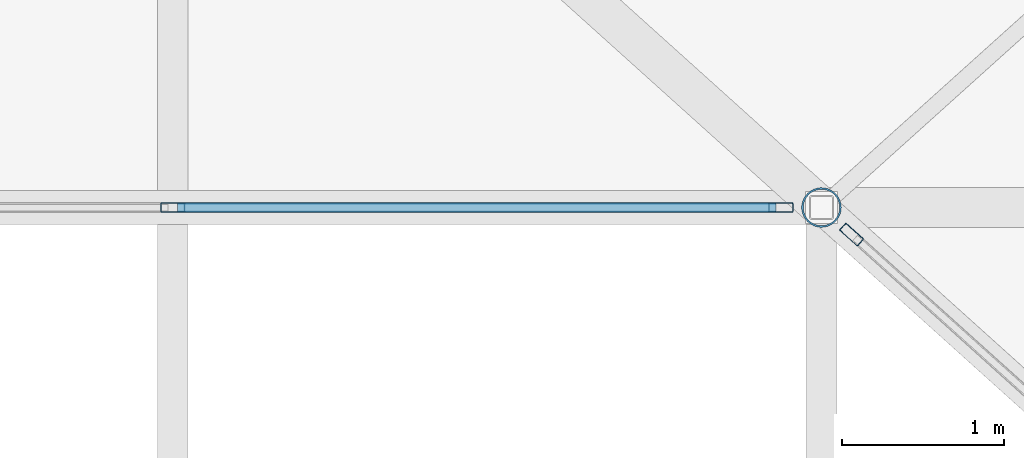
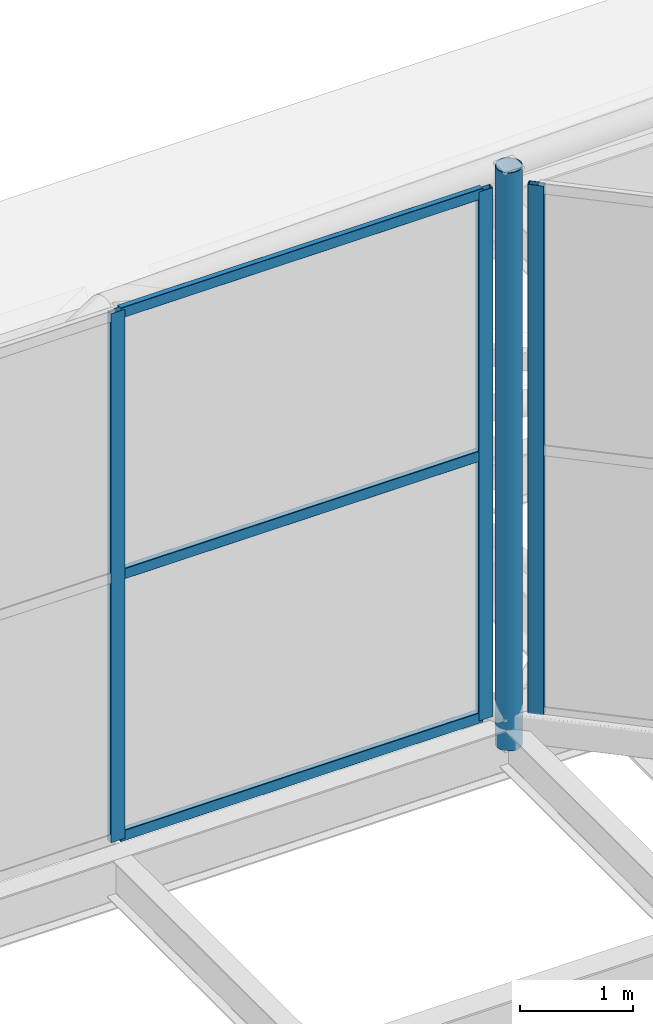
# One storey, part 89 of 239: 7 members, 2 elements without a shape of their own.
"""IFC4 building model written with IfcOpenShell, lengths in metres."""

from ifc_helpers import new_model, si_unit, direction, frame, origin, origin_2d, place, context, subcontext, project, spatial, hollow_rectangle, hollow_circle, extrude, material, layer, layer_set, material_profile, profile_set, type_object, element, aggregate, save


model = new_model("IFC4")

# Units and contexts
model_context = context("Model", 3, precision=1e-05, world=origin(), true_north=direction((0.0, 1.0)))
body_context = subcontext(model_context, "Body", "Model", "MODEL_VIEW")
ifc_project = project(units=[si_unit("LENGTHUNIT", "METRE"), si_unit("AREAUNIT", "SQUARE_METRE"), si_unit("VOLUMEUNIT", "CUBIC_METRE"), si_unit("PLANEANGLEUNIT", "RADIAN"), si_unit("MASSUNIT", "GRAM", prefix="KILO")], contexts=[model_context])

# Site, building, storey
site_placement = place(None, origin())
site = spatial("IfcSite", under=ifc_project, at=site_placement, CompositionType="ELEMENT")
building_placement = place(site_placement, origin())
building = spatial("IfcBuilding", under=site, at=building_placement, Name="Dunvalen Ferry Terminal", CompositionType="ELEMENT")
storey_placement = place(building_placement, frame((0.0, 0.0, 9.840087890625)))
storey = spatial("IfcBuildingStorey", under=building, at=storey_placement, Name="L02", CompositionType="ELEMENT", Elevation=9.840087890625)

# Curtain wall, member
ifc_material_1 = material(Name="Anodised marine aluminium and solar-control glazing", Category="aluminium")
ifc_layer_1 = layer(ifc_material_1, 0.179931640625, Name="Anodised marine aluminium and solar-control glazing")
ifc_layer_set_1 = layer_set([ifc_layer_1], Name="Anodised marine aluminium and solar-control glazing")
curtain_wall_type_1 = type_object("IfcCurtainWallType", Name="ENV-CW-SYS-06", PredefinedType="NOTDEFINED", material=ifc_layer_set_1)
curtain_wall_1_placement = place(storey_placement, origin())
curtain_wall_1 = element("IfcCurtainWall", 1, at=curtain_wall_1_placement, inside=storey, type_object=curtain_wall_type_1, Name="L02 Curtain Wall CW-HEX-21-SK-4", PredefinedType="NOTDEFINED")
ifc_material_2 = material(Name="Anodised marine aluminium EN AW-6063 T6", Category="aluminium")
ifc_material_profile_1 = material_profile(ifc_material_2, hollow_rectangle(XDim=0.06005859375, YDim=0.14990234375, WallThickness=0.00341796875, InnerFilletRadius=0.00341796875, OuterFilletRadius=0.007080078125, at=origin_2d()), Name="Anodised marine aluminium EN AW-6063 T6")
ifc_profile_set_1 = profile_set([ifc_material_profile_1], Name="Anodised marine aluminium EN AW-6063 T6")
member_type_1 = type_object("IfcMemberType", Name="ENV-CW-MUL-3", PredefinedType="MULLION", material=ifc_profile_set_1)
member_1_placement = place(storey_placement, frame((46.185791015625, 79.03271484375, 1.139892578125), z_axis=(0.0, 0.0, 1.0), x_axis=(-0.668953550894, -0.74330420875, 0.0)))
member_1 = element("IfcMember", 2, at=member_1_placement, type_object=member_type_1, Name="CW-06 mullion 2", PredefinedType="MULLION", context=body_context, shape_type="SweptSolid", body=[
    extrude(hollow_rectangle(XDim=0.06005859375, YDim=0.14990234375, WallThickness=0.00341796875, InnerFilletRadius=0.00341796875, OuterFilletRadius=0.007080078125, at=origin_2d()), origin(), (0.0, 0.0, 1.0), 5.699951171875),
])
aggregate(curtain_wall_1, [member_1])

# Curtain wall, members
ifc_layer_2 = layer(ifc_material_1, 0.179931640625, Name="Anodised marine aluminium and solar-control glazing")
ifc_layer_set_2 = layer_set([ifc_layer_2], Name="Anodised marine aluminium and solar-control glazing")
curtain_wall_type_2 = type_object("IfcCurtainWallType", Name="ENV-CW-SYS-05", PredefinedType="NOTDEFINED", material=ifc_layer_set_2)
curtain_wall_2_placement = place(storey_placement, origin())
curtain_wall_2 = element("IfcCurtainWall", 3, at=curtain_wall_2_placement, inside=storey, type_object=curtain_wall_type_2, Name="L02 Curtain Wall CW-HEX-21-SK-5", PredefinedType="NOTDEFINED")
member_2_placement = place(storey_placement, frame((45.75, 79.199951171875, 1.139892578125), z_axis=(0.0, 0.0, 1.0), x_axis=(0.0, -1.0, 0.0)))
member_2 = element("IfcMember", 4, at=member_2_placement, type_object=member_type_1, Name="CW-05 mullion 1", PredefinedType="MULLION", context=body_context, shape_type="SweptSolid", body=[
    extrude(hollow_rectangle(XDim=0.06005859375, YDim=0.14990234375, WallThickness=0.00341796875, InnerFilletRadius=0.00341796875, OuterFilletRadius=0.007080078125, at=origin_2d()), origin(), (0.0, 0.0, 1.0), 5.699951171875),
])
member_3_placement = place(storey_placement, frame((42.0, 79.199951171875, 1.139892578125), z_axis=(0.0, 0.0, 1.0), x_axis=(0.0, -1.0, 0.0)))
member_3 = element("IfcMember", 5, at=member_3_placement, type_object=member_type_1, Name="CW-05 mullion 2", PredefinedType="MULLION", context=body_context, shape_type="SweptSolid", body=[
    extrude(hollow_rectangle(XDim=0.06005859375, YDim=0.14990234375, WallThickness=0.00341796875, InnerFilletRadius=0.00341796875, OuterFilletRadius=0.007080078125, at=origin_2d()), origin(), (0.0, 0.0, 1.0), 5.699951171875),
])
ifc_material_profile_2 = material_profile(ifc_material_2, hollow_rectangle(XDim=0.06005859375, YDim=0.114990234375, WallThickness=0.0029296875, InnerFilletRadius=0.0029296875, OuterFilletRadius=0.006103515625, at=origin_2d()), Name="Anodised marine aluminium EN AW-6063 T6")
ifc_profile_set_2 = profile_set([ifc_material_profile_2], Name="Anodised marine aluminium EN AW-6063 T6")
member_type_2 = type_object("IfcMemberType", Name="ENV-CW-TRN-3", PredefinedType="USERDEFINED", material=ifc_profile_set_2)
member_4_placement = place(storey_placement, frame((45.719970703125, 79.199951171875, 1.169921875), z_axis=(-1.0, 0.0, 0.0), x_axis=(0.0, -1.0, 0.0)))
member_4 = element("IfcMember", 6, at=member_4_placement, type_object=member_type_2, Name="CW-05 transom 1.1", ObjectType="TRANSOM", PredefinedType="USERDEFINED", context=body_context, shape_type="SweptSolid", body=[
    extrude(hollow_rectangle(XDim=0.06005859375, YDim=0.114990234375, WallThickness=0.0029296875, InnerFilletRadius=0.0029296875, OuterFilletRadius=0.006103515625, at=origin_2d()), origin(), (0.0, 0.0, 1.0), 3.68994140625),
])
member_5_placement = place(storey_placement, frame((45.719970703125, 79.199951171875, 3.989990234375), z_axis=(-1.0, 0.0, 0.0), x_axis=(0.0, -1.0, 0.0)))
member_5 = element("IfcMember", 7, at=member_5_placement, type_object=member_type_2, Name="CW-05 transom 1.2", ObjectType="TRANSOM", PredefinedType="USERDEFINED", context=body_context, shape_type="SweptSolid", body=[
    extrude(hollow_rectangle(XDim=0.06005859375, YDim=0.114990234375, WallThickness=0.0029296875, InnerFilletRadius=0.0029296875, OuterFilletRadius=0.006103515625, at=origin_2d()), origin(), (0.0, 0.0, 1.0), 3.68994140625),
])
member_6_placement = place(storey_placement, frame((45.719970703125, 79.199951171875, 6.809814453125), z_axis=(-1.0, 0.0, 0.0), x_axis=(0.0, -1.0, 0.0)))
member_6 = element("IfcMember", 8, at=member_6_placement, type_object=member_type_2, Name="CW-05 transom 1.3", ObjectType="TRANSOM", PredefinedType="USERDEFINED", context=body_context, shape_type="SweptSolid", body=[
    extrude(hollow_rectangle(XDim=0.06005859375, YDim=0.114990234375, WallThickness=0.0029296875, InnerFilletRadius=0.0029296875, OuterFilletRadius=0.006103515625, at=origin_2d()), origin(), (0.0, 0.0, 1.0), 3.68994140625),
])
aggregate(curtain_wall_2, [member_2, member_3, member_4, member_5, member_6])

# Member
ifc_material_3 = material(Name="Steel S355", Category="steel")
ifc_material_profile_3 = material_profile(ifc_material_3, hollow_circle(Radius=0.122314453125, WallThickness=0.010009765625, at=origin_2d()), Name="Steel S355")
ifc_profile_set_3 = profile_set([ifc_material_profile_3], Name="Steel S355")
member_type_3 = type_object("IfcMemberType", Name="STR-MB-CHS244", PredefinedType="STRUT", material=ifc_profile_set_3)
member_7_placement = place(storey_placement, frame((46.0, 79.199951171875, 0.77001953125), z_axis=(0.0, 0.0, 1.0), x_axis=(1.0, 0.0, 0.0)))
element("IfcMember", 9, at=member_7_placement, inside=storey, type_object=member_type_3, Name="HEX-21 Skylight Lantern Corner Strut 5", PredefinedType="STRUT", context=body_context, shape_type="SweptSolid", body=[
    extrude(hollow_circle(Radius=0.122314453125, WallThickness=0.010009765625, at=origin_2d()), origin(), (0.0, 0.0, 1.0), 6.22998046875),
])

save(model, "model.ifc")
